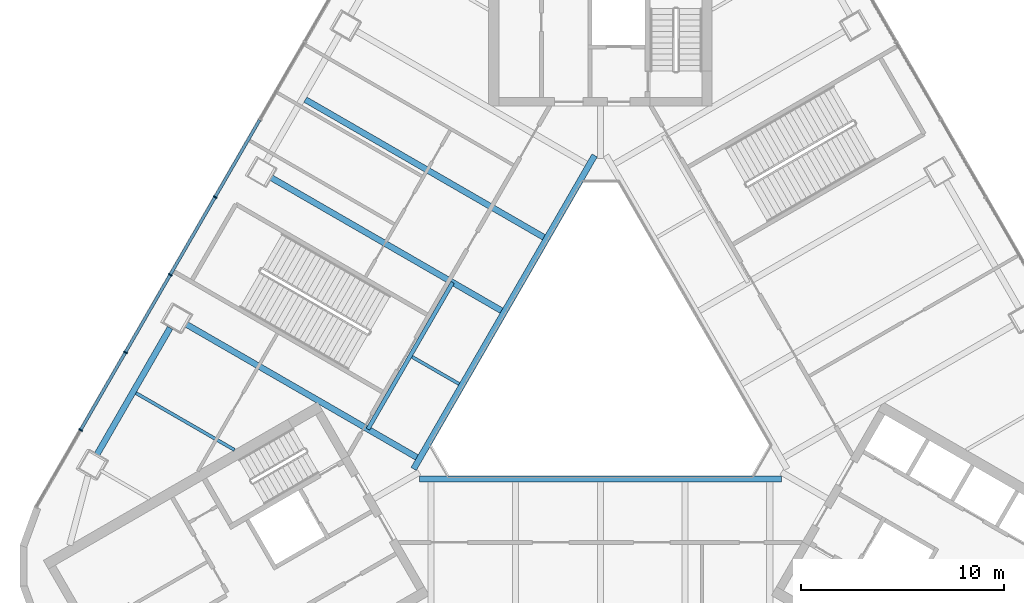
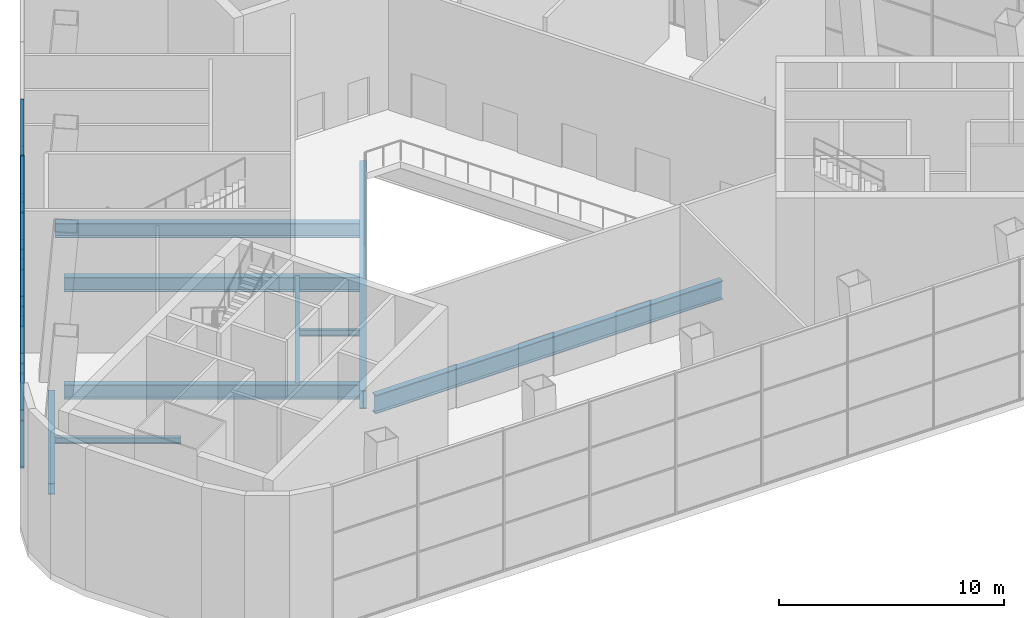
# One storey, part 3 of 16: 20 members, 9 beams, 1 element without a shape of its own.
"""IFC4 building model written with IfcOpenShell, lengths in metres."""

import ifcopenshell
import ifcopenshell.guid

model = None  # the IFC model being written
_history = None  # IfcOwnerHistory: only IFC2X3 demands one
_inside = {}  # id of a spatial element -> (the spatial element, [elements in it])
_under = {}  # id of a project, library or spatial element -> (it, [spatial elements below it])
_declared = {}  # id of a project -> (the project, [libraries it declares])
_typed = {}  # id of a type object -> (the type object, [elements of that type])
_made_of = {}  # id of a material, layer set ... -> (it, [elements and type objects made of it])


def new_model(schema):
    """Start an empty IFC model of exactly this schema.

    Asked for "IFC4X3", IfcOpenShell would pick the latest addendum, in which some entities
    have other attributes; the version numbers below select the first issue.
    IFC2X3 requires an IfcOwnerHistory on every rooted entity: one is made here for all.
    """
    global model, _history
    if schema == "IFC4X3":
        model = ifcopenshell.file(schema_version=(4, 3, 0, 0))
    else:
        model = ifcopenshell.file(schema=schema)
    _inside.clear()
    _under.clear()
    _declared.clear()
    _typed.clear()
    _made_of.clear()
    _history = None
    if model.schema == "IFC2X3":
        org = make("IfcOrganization", Name="unknown")
        user = make(
            "IfcPersonAndOrganization",
            ThePerson=make("IfcPerson", FamilyName="unknown"),
            TheOrganization=org,
        )
        app = make(
            "IfcApplication",
            ApplicationDeveloper=org,
            Version="unknown",
            ApplicationFullName="unknown",
            ApplicationIdentifier="unknown",
        )
        _history = make(
            "IfcOwnerHistory",
            OwningUser=user,
            OwningApplication=app,
            ChangeAction="ADDED",
            CreationDate=0,
        )
    return model


def make(cls, **values):
    """One entity of the class cls with the attributes given. An attribute that is None is left unset."""
    return model.create_entity(
        cls, **{name: value for name, value in values.items() if value is not None}
    )


def rooted(cls, **values):
    """An entity with a GlobalId (a new one), such as an element, a storey or a relation."""
    return make(cls, GlobalId=ifcopenshell.guid.new(), OwnerHistory=_history, **values)


def si_unit(unit_type, name, prefix=None):
    """IfcSIUnit, for example si_unit("LENGTHUNIT", "METRE", prefix="MILLI")."""
    return make("IfcSIUnit", UnitType=unit_type, Prefix=prefix, Name=name)


def assignment(units):
    """IfcUnitAssignment: the units of a project."""
    return None if units is None else make("IfcUnitAssignment", Units=units)


def point(xyz):
    """IfcCartesianPoint."""
    return None if xyz is None else make("IfcCartesianPoint", Coordinates=xyz)


def direction(xyz):
    """IfcDirection."""
    return None if xyz is None else make("IfcDirection", DirectionRatios=xyz)


def frame(location, z_axis=None, x_axis=None):
    """IfcAxis2Placement3D, a coordinate frame: its origin and axes. An axis left out is left unset."""
    return make(
        "IfcAxis2Placement3D",
        Location=point(location),
        Axis=direction(z_axis),
        RefDirection=direction(x_axis),
    )


def frame_2d(location, x_axis=None):
    """IfcAxis2Placement2D, a coordinate frame in the plane: its origin and x axis."""
    return make(
        "IfcAxis2Placement2D", Location=point(location), RefDirection=direction(x_axis)
    )


def origin():
    """The frame at (0, 0, 0) with its axes left unset."""
    return frame((0.0, 0.0, 0.0))


def origin_2d():
    """The frame at (0, 0) in the plane with its x axis left unset."""
    return frame_2d((0.0, 0.0))


def place(relative_to, where):
    """IfcLocalPlacement: puts the frame where relative to a parent placement (None: the world)."""
    return make(
        "IfcLocalPlacement", PlacementRelTo=relative_to, RelativePlacement=where
    )


def context(
    kind, dimensions, precision=None, world=None, true_north=None, identifier=None
):
    """IfcGeometricRepresentationContext, for example the 3D "Model" context."""
    return make(
        "IfcGeometricRepresentationContext",
        ContextIdentifier=identifier,
        ContextType=kind,
        CoordinateSpaceDimension=dimensions,
        Precision=precision,
        WorldCoordinateSystem=world,
        TrueNorth=true_north,
    )


def subcontext(parent, identifier, kind, view, scale=None):
    """IfcGeometricRepresentationSubContext, for example "Body" below "Model"."""
    return make(
        "IfcGeometricRepresentationSubContext",
        ContextIdentifier=identifier,
        ContextType=kind,
        ParentContext=parent,
        TargetScale=scale,
        TargetView=view,
    )


def project(units=None, contexts=None):
    """IfcProject with its units and contexts."""
    return rooted(
        "IfcProject",
        Name="project",
        RepresentationContexts=contexts,
        UnitsInContext=assignment(units),
    )


def spatial(cls, under=None, at=None, **own):
    """A site, building, storey or space (cls), placed at a placement, below another one or the project."""
    s = rooted(cls, ObjectPlacement=at, **own)
    if under is not None:
        _under.setdefault(under.id(), (under, []))[1].append(s)
    return s


def profile(cls, at=None, kind="AREA", **sizes):
    """A parametric profile (cls). Its sizes go by their IFC names, for example OverallWidth=200.0."""
    return make(cls, ProfileType=kind, Position=at, **sizes)


def rectangle(**sizes):
    """IfcRectangleProfileDef."""
    return profile("IfcRectangleProfileDef", **sizes)


def i_section(**sizes):
    """IfcIShapeProfileDef."""
    return profile("IfcIShapeProfileDef", **sizes)


def extrude(swept, where, along, depth):
    """IfcExtrudedAreaSolid: the profile swept, set in the frame where, extruded along a direction by depth."""
    return make(
        "IfcExtrudedAreaSolid",
        SweptArea=swept,
        Position=where,
        ExtrudedDirection=direction(along),
        Depth=depth,
    )


def shape(context_of_items, identifier, shape_type, items):
    """IfcShapeRepresentation: the items that make up one representation, for example the "Body"."""
    return make(
        "IfcShapeRepresentation",
        ContextOfItems=context_of_items,
        RepresentationIdentifier=identifier,
        RepresentationType=shape_type,
        Items=items,
    )


def material(Name=None, Category=None):
    """IfcMaterial."""
    return make("IfcMaterial", Name=Name, Category=Category)


def layer(
    of_material, thickness, ventilated=None, Name=None, Category=None, Priority=None
):
    """IfcMaterialLayer: one layer of a wall or slab, of a material (None: an air gap)."""
    return make(
        "IfcMaterialLayer",
        Material=of_material,
        LayerThickness=thickness,
        IsVentilated=ventilated,
        Name=Name,
        Category=Category,
        Priority=Priority,
    )


def layer_set(layers, Name=None):
    """IfcMaterialLayerSet."""
    return make("IfcMaterialLayerSet", MaterialLayers=layers, LayerSetName=Name)


def material_profile(
    of_material, cross_section, Name=None, Category=None, Priority=None
):
    """IfcMaterialProfile: a cross section and its material."""
    return make(
        "IfcMaterialProfile",
        Name=Name,
        Material=of_material,
        Profile=cross_section,
        Priority=Priority,
        Category=Category,
    )


def profile_set(profiles, Name=None, composite=None):
    """IfcMaterialProfileSet."""
    return make(
        "IfcMaterialProfileSet",
        Name=Name,
        MaterialProfiles=profiles,
        CompositeProfile=composite,
    )


def made_of(thing, what):
    """Note that an element or type object is made of a material, layer set ...; save() writes the relation."""
    if what is not None:
        _made_of.setdefault(what.id(), (what, []))[1].append(thing)
    return thing


def type_object(cls, material=None, **own):
    """A type object (cls), such as IfcWallType, which elements share."""
    return made_of(rooted(cls, **own), material)


def element(
    cls,
    number,
    at=None,
    inside=None,
    cuts=None,
    type_object=None,
    material=None,
    context=None,
    identifier="Body",
    shape_type=None,
    held_by="IfcProductDefinitionShape",
    body=None,
    shapes=None,
    **own,
):
    """One element of the class cls, such as IfcWall. Its Tag is "e" and its number.

    at: its placement. inside: the storey or other place that contains it. cuts: it is an
    opening in that element (IfcRelVoidsElement). A single representation is given by context,
    identifier, shape_type and body (its items); several are given by shapes. held_by: the class
    of the entity that holds the representations. save() writes the other relations.
    """
    e = rooted(cls, Tag="e%d" % number, ObjectPlacement=at, **own)
    if body is not None:
        shapes = [shape(context, identifier, shape_type, body)]
    if shapes is not None:
        e.Representation = make(held_by, Representations=shapes)
    if inside is not None:
        _inside.setdefault(inside.id(), (inside, []))[1].append(e)
    if cuts is not None:
        rooted(
            "IfcRelVoidsElement", RelatingBuildingElement=cuts, RelatedOpeningElement=e
        )
    if type_object is not None:
        _typed.setdefault(type_object.id(), (type_object, []))[1].append(e)
    return made_of(e, material)


def aggregate(whole, parts):
    """IfcRelAggregates: a whole, such as a stair, and the parts it consists of."""
    return rooted("IfcRelAggregates", RelatingObject=whole, RelatedObjects=parts)


def save(model, path):
    """Write the relations noted so far, then the file.

    IfcRelAggregates (storeys below a building ...), IfcRelContainedInSpatialStructure (elements
    in a storey), IfcRelDefinesByType, IfcRelAssociatesMaterial and IfcRelDeclares: one each for
    every whole, place, type object, material and project.
    """
    for whole, parts in _under.values():
        aggregate(whole, parts)
    for where, things in _inside.values():
        rooted(
            "IfcRelContainedInSpatialStructure",
            RelatedElements=things,
            RelatingStructure=where,
        )
    for kind, things in _typed.values():
        rooted("IfcRelDefinesByType", RelatedObjects=things, RelatingType=kind)
    for what, things in _made_of.values():
        rooted("IfcRelAssociatesMaterial", RelatedObjects=things, RelatingMaterial=what)
    for by, libraries in _declared.values():
        rooted("IfcRelDeclares", RelatingContext=by, RelatedDefinitions=libraries)
    model.write(path)


model = new_model("IFC4")

# Units and contexts
model_context = context("Model", 3, precision=1e-05, world=origin(), true_north=direction((0.0, 1.0)))
body_context = subcontext(model_context, "Body", "Model", "MODEL_VIEW")
ifc_project = project(units=[si_unit("LENGTHUNIT", "METRE"), si_unit("AREAUNIT", "SQUARE_METRE"), si_unit("VOLUMEUNIT", "CUBIC_METRE"), si_unit("PLANEANGLEUNIT", "RADIAN"), si_unit("MASSUNIT", "GRAM", prefix="KILO")], contexts=[model_context])

# Site, building, storey
site_placement = place(None, origin())
site = spatial("IfcSite", under=ifc_project, at=site_placement, CompositionType="ELEMENT")
building_placement = place(site_placement, origin())
building = spatial("IfcBuilding", under=site, at=building_placement, Name="Apuvela Tower Hotel", CompositionType="ELEMENT")
storey_placement = place(building_placement, frame((0.0, 0.0, 15.5)))
storey = spatial("IfcBuildingStorey", under=building, at=storey_placement, Name="L02", CompositionType="ELEMENT", Elevation=15.5)

# Curtain wall, members
ifc_material_1 = material(Name="Aluminium 6063-T6, dark bronze anodised", Category="aluminium")
ifc_layer = layer(ifc_material_1, 0.199951171875)
ifc_layer_set = layer_set([ifc_layer], Name="ENV-CW-P")
curtain_wall_type = type_object("IfcCurtainWallType", Name="ENV-CW-P", PredefinedType="NOTDEFINED", material=ifc_layer_set)
curtain_wall_placement = place(storey_placement, origin())
curtain_wall = element("IfcCurtainWall", 1, at=curtain_wall_placement, inside=storey, type_object=curtain_wall_type, Name="Curtain wall CW-P NW L02", PredefinedType="NOTDEFINED")
ifc_material_profile_1 = material_profile(ifc_material_1, rectangle(XDim=0.199951171875, YDim=0.06494140625, at=origin_2d()), Name="AL 65x200")
ifc_profile_set_1 = profile_set([ifc_material_profile_1], Name="Aluminium 6063-T6, dark bronze anodised")
member_type_1 = type_object("IfcMemberType", Name="ENV-MULLION-65x200", PredefinedType="MULLION", material=ifc_profile_set_1)
member_1_placement = place(storey_placement, frame((-18.97119140625, 8.403564453125, 0.0), z_axis=(0.0, 0.0, 1.0), x_axis=(0.866024643727, -0.500001316455, 0.0)))
member_1 = element("IfcMember", 2, at=member_1_placement, type_object=member_type_1, Name="CW-P mullion 6", PredefinedType="MULLION", context=body_context, shape_type="SweptSolid", body=[
    extrude(rectangle(XDim=0.199951171875, YDim=0.06494140625, at=origin_2d()), origin(), (0.0, 0.0, 1.0), 7.699951171875),
])
member_2_placement = place(storey_placement, frame((-21.17919921875, 4.579345703125, 0.0), z_axis=(0.0, 0.0, 1.0), x_axis=(0.866024643727, -0.500001316455, 0.0)))
member_2 = element("IfcMember", 3, at=member_2_placement, type_object=member_type_1, Name="CW-P mullion 7", PredefinedType="MULLION", context=body_context, shape_type="SweptSolid", body=[
    extrude(rectangle(XDim=0.199951171875, YDim=0.06494140625, at=origin_2d()), origin(), (0.0, 0.0, 1.0), 7.699951171875),
])
member_3_placement = place(storey_placement, frame((-23.38720703125, 0.7548828125, 0.0), z_axis=(0.0, 0.0, 1.0), x_axis=(0.866024643727, -0.500001316455, 0.0)))
member_3 = element("IfcMember", 4, at=member_3_placement, type_object=member_type_1, Name="CW-P mullion 8", PredefinedType="MULLION", context=body_context, shape_type="SweptSolid", body=[
    extrude(rectangle(XDim=0.199951171875, YDim=0.06494140625, at=origin_2d()), origin(), (0.0, 0.0, 1.0), 7.699951171875),
])
member_4_placement = place(storey_placement, frame((-25.59521484375, -3.0693359375, 0.0), z_axis=(0.0, 0.0, 1.0), x_axis=(0.866024643727, -0.500001316455, 0.0)))
member_4 = element("IfcMember", 5, at=member_4_placement, type_object=member_type_1, Name="CW-P mullion 9", PredefinedType="MULLION", context=body_context, shape_type="SweptSolid", body=[
    extrude(rectangle(XDim=0.199951171875, YDim=0.06494140625, at=origin_2d()), origin(), (0.0, 0.0, 1.0), 7.699951171875),
])
ifc_material_profile_2 = material_profile(ifc_material_1, rectangle(XDim=0.14990234375, YDim=0.06494140625, at=origin_2d()), Name="AL 65x150 transom")
ifc_profile_set_2 = profile_set([ifc_material_profile_2], Name="Aluminium 6063-T6, dark bronze anodised")
member_type_2 = type_object("IfcMemberType", Name="ENV-TRANSOM-65x150", PredefinedType="USERDEFINED", material=ifc_profile_set_2)
member_5_placement = place(storey_placement, frame((-16.779541015625, 12.19970703125, 0.032470703125), z_axis=(-0.500007404367, -0.866021128829, 0.0), x_axis=(0.866021128829, -0.500007404367, 0.0)))
member_5 = element("IfcMember", 6, at=member_5_placement, type_object=member_type_2, Name="CW-P transom 5.1", ObjectType="TRANSOM", PredefinedType="USERDEFINED", context=body_context, shape_type="SweptSolid", body=[
    extrude(rectangle(XDim=0.14990234375, YDim=0.06494140625, at=origin_2d()), origin(), (0.0, 0.0, 1.0), 4.35107421875),
])
member_6_placement = place(storey_placement, frame((-16.779541015625, 12.19970703125, 2.566650390625), z_axis=(-0.500007404367, -0.866021128829, 0.0), x_axis=(0.866021128829, -0.500007404367, 0.0)))
member_6 = element("IfcMember", 7, at=member_6_placement, type_object=member_type_2, Name="CW-P transom 5.2", ObjectType="TRANSOM", PredefinedType="USERDEFINED", context=body_context, shape_type="SweptSolid", body=[
    extrude(rectangle(XDim=0.14990234375, YDim=0.06494140625, at=origin_2d()), origin(), (0.0, 0.0, 1.0), 4.35107421875),
])
member_7_placement = place(storey_placement, frame((-16.779541015625, 12.19970703125, 5.13330078125), z_axis=(-0.500007404367, -0.866021128829, 0.0), x_axis=(0.866021128829, -0.500007404367, 0.0)))
member_7 = element("IfcMember", 8, at=member_7_placement, type_object=member_type_2, Name="CW-P transom 5.3", ObjectType="TRANSOM", PredefinedType="USERDEFINED", context=body_context, shape_type="SweptSolid", body=[
    extrude(rectangle(XDim=0.14990234375, YDim=0.06494140625, at=origin_2d()), origin(), (0.0, 0.0, 1.0), 4.35107421875),
])
member_8_placement = place(storey_placement, frame((-16.779541015625, 12.19970703125, 7.66748046875), z_axis=(-0.500007404367, -0.866021128829, 0.0), x_axis=(0.866021128829, -0.500007404367, 0.0)))
member_8 = element("IfcMember", 9, at=member_8_placement, type_object=member_type_2, Name="CW-P transom 5.4", ObjectType="TRANSOM", PredefinedType="USERDEFINED", context=body_context, shape_type="SweptSolid", body=[
    extrude(rectangle(XDim=0.14990234375, YDim=0.06494140625, at=origin_2d()), origin(), (0.0, 0.0, 1.0), 4.35107421875),
])
member_9_placement = place(storey_placement, frame((-18.987548828125, 8.375244140625, 0.032470703125), z_axis=(-0.500031702477, -0.866007099577, 0.0), x_axis=(0.866007099577, -0.500031702477, 0.0)))
member_9 = element("IfcMember", 10, at=member_9_placement, type_object=member_type_2, Name="CW-P transom 6.1", ObjectType="TRANSOM", PredefinedType="USERDEFINED", context=body_context, shape_type="SweptSolid", body=[
    extrude(rectangle(XDim=0.14990234375, YDim=0.06494140625, at=origin_2d()), origin(), (0.0, 0.0, 1.0), 4.350830078125),
])
member_10_placement = place(storey_placement, frame((-18.987548828125, 8.375244140625, 2.566650390625), z_axis=(-0.500031702477, -0.866007099577, 0.0), x_axis=(0.866007099577, -0.500031702477, 0.0)))
member_10 = element("IfcMember", 11, at=member_10_placement, type_object=member_type_2, Name="CW-P transom 6.2", ObjectType="TRANSOM", PredefinedType="USERDEFINED", context=body_context, shape_type="SweptSolid", body=[
    extrude(rectangle(XDim=0.14990234375, YDim=0.06494140625, at=origin_2d()), origin(), (0.0, 0.0, 1.0), 4.350830078125),
])
member_11_placement = place(storey_placement, frame((-18.987548828125, 8.375244140625, 5.13330078125), z_axis=(-0.500031702477, -0.866007099577, 0.0), x_axis=(0.866007099577, -0.500031702477, 0.0)))
member_11 = element("IfcMember", 12, at=member_11_placement, type_object=member_type_2, Name="CW-P transom 6.3", ObjectType="TRANSOM", PredefinedType="USERDEFINED", context=body_context, shape_type="SweptSolid", body=[
    extrude(rectangle(XDim=0.14990234375, YDim=0.06494140625, at=origin_2d()), origin(), (0.0, 0.0, 1.0), 4.350830078125),
])
member_12_placement = place(storey_placement, frame((-18.987548828125, 8.375244140625, 7.66748046875), z_axis=(-0.500031702477, -0.866007099577, 0.0), x_axis=(0.866007099577, -0.500031702477, 0.0)))
member_12 = element("IfcMember", 13, at=member_12_placement, type_object=member_type_2, Name="CW-P transom 6.4", ObjectType="TRANSOM", PredefinedType="USERDEFINED", context=body_context, shape_type="SweptSolid", body=[
    extrude(rectangle(XDim=0.14990234375, YDim=0.06494140625, at=origin_2d()), origin(), (0.0, 0.0, 1.0), 4.350830078125),
])
member_13_placement = place(storey_placement, frame((-21.195556640625, 4.551025390625, 0.032470703125), z_axis=(-0.499989616998, -0.866031398331, 0.0), x_axis=(0.866031398331, -0.499989616998, 0.0)))
member_13 = element("IfcMember", 14, at=member_13_placement, type_object=member_type_2, Name="CW-P transom 7.1", ObjectType="TRANSOM", PredefinedType="USERDEFINED", context=body_context, shape_type="SweptSolid", body=[
    extrude(rectangle(XDim=0.14990234375, YDim=0.06494140625, at=origin_2d()), origin(), (0.0, 0.0, 1.0), 4.3505859375),
])
member_14_placement = place(storey_placement, frame((-21.195556640625, 4.551025390625, 2.566650390625), z_axis=(-0.499989616998, -0.866031398331, 0.0), x_axis=(0.866031398331, -0.499989616998, 0.0)))
member_14 = element("IfcMember", 15, at=member_14_placement, type_object=member_type_2, Name="CW-P transom 7.2", ObjectType="TRANSOM", PredefinedType="USERDEFINED", context=body_context, shape_type="SweptSolid", body=[
    extrude(rectangle(XDim=0.14990234375, YDim=0.06494140625, at=origin_2d()), origin(), (0.0, 0.0, 1.0), 4.3505859375),
])
member_15_placement = place(storey_placement, frame((-21.195556640625, 4.551025390625, 5.13330078125), z_axis=(-0.499989616998, -0.866031398331, 0.0), x_axis=(0.866031398331, -0.499989616998, 0.0)))
member_15 = element("IfcMember", 16, at=member_15_placement, type_object=member_type_2, Name="CW-P transom 7.3", ObjectType="TRANSOM", PredefinedType="USERDEFINED", context=body_context, shape_type="SweptSolid", body=[
    extrude(rectangle(XDim=0.14990234375, YDim=0.06494140625, at=origin_2d()), origin(), (0.0, 0.0, 1.0), 4.3505859375),
])
member_16_placement = place(storey_placement, frame((-21.195556640625, 4.551025390625, 7.66748046875), z_axis=(-0.499989616998, -0.866031398331, 0.0), x_axis=(0.866031398331, -0.499989616998, 0.0)))
member_16 = element("IfcMember", 17, at=member_16_placement, type_object=member_type_2, Name="CW-P transom 7.4", ObjectType="TRANSOM", PredefinedType="USERDEFINED", context=body_context, shape_type="SweptSolid", body=[
    extrude(rectangle(XDim=0.14990234375, YDim=0.06494140625, at=origin_2d()), origin(), (0.0, 0.0, 1.0), 4.3505859375),
])
member_17_placement = place(storey_placement, frame((-23.4033203125, 0.726806640625, 0.032470703125), z_axis=(-0.500007404367, -0.866021128829, 0.0), x_axis=(0.866021128829, -0.500007404367, 0.0)))
member_17 = element("IfcMember", 18, at=member_17_placement, type_object=member_type_2, Name="CW-P transom 8.1", ObjectType="TRANSOM", PredefinedType="USERDEFINED", context=body_context, shape_type="SweptSolid", body=[
    extrude(rectangle(XDim=0.14990234375, YDim=0.06494140625, at=origin_2d()), origin(), (0.0, 0.0, 1.0), 4.35107421875),
])
member_18_placement = place(storey_placement, frame((-23.4033203125, 0.726806640625, 2.566650390625), z_axis=(-0.500007404367, -0.866021128829, 0.0), x_axis=(0.866021128829, -0.500007404367, 0.0)))
member_18 = element("IfcMember", 19, at=member_18_placement, type_object=member_type_2, Name="CW-P transom 8.2", ObjectType="TRANSOM", PredefinedType="USERDEFINED", context=body_context, shape_type="SweptSolid", body=[
    extrude(rectangle(XDim=0.14990234375, YDim=0.06494140625, at=origin_2d()), origin(), (0.0, 0.0, 1.0), 4.35107421875),
])
member_19_placement = place(storey_placement, frame((-23.4033203125, 0.726806640625, 5.13330078125), z_axis=(-0.500007404367, -0.866021128829, 0.0), x_axis=(0.866021128829, -0.500007404367, 0.0)))
member_19 = element("IfcMember", 20, at=member_19_placement, type_object=member_type_2, Name="CW-P transom 8.3", ObjectType="TRANSOM", PredefinedType="USERDEFINED", context=body_context, shape_type="SweptSolid", body=[
    extrude(rectangle(XDim=0.14990234375, YDim=0.06494140625, at=origin_2d()), origin(), (0.0, 0.0, 1.0), 4.35107421875),
])
member_20_placement = place(storey_placement, frame((-23.4033203125, 0.726806640625, 7.66748046875), z_axis=(-0.500007404367, -0.866021128829, 0.0), x_axis=(0.866021128829, -0.500007404367, 0.0)))
member_20 = element("IfcMember", 21, at=member_20_placement, type_object=member_type_2, Name="CW-P transom 8.4", ObjectType="TRANSOM", PredefinedType="USERDEFINED", context=body_context, shape_type="SweptSolid", body=[
    extrude(rectangle(XDim=0.14990234375, YDim=0.06494140625, at=origin_2d()), origin(), (0.0, 0.0, 1.0), 4.35107421875),
])
aggregate(curtain_wall, [member_1, member_2, member_3, member_4, member_5, member_6, member_7, member_8, member_9, member_10, member_11, member_12, member_13, member_14, member_15, member_16, member_17, member_18, member_19, member_20])

# Beams
ifc_material_2 = material(Name="Steel S355", Category="steel")
ifc_material_profile_3 = material_profile(ifc_material_2, i_section(OverallWidth=0.300048828125, OverallDepth=0.7900390625, WebThickness=0.014892578125, FlangeThickness=0.028076171875, at=origin_2d()), Name="HE 800 A")
ifc_profile_set_3 = profile_set([ifc_material_profile_3], Name="Steel S355")
beam_type_1 = type_object("IfcBeamType", Name="STR-B floor beam HE 800 A", PredefinedType="BEAM", material=ifc_profile_set_3)
beam_1_placement = place(storey_placement, frame((-14.525634765625, 13.203369140625, -0.7451171875), z_axis=(0.866020673176, -0.500008193565, 0.0), x_axis=(0.500008193565, 0.866020673176, 0.0)))
element("IfcBeam", 22, at=beam_1_placement, inside=storey, type_object=beam_type_1, Name="Floor beam B5 NW4", PredefinedType="BEAM", context=body_context, shape_type="SweptSolid", body=[
    extrude(i_section(OverallWidth=0.300048828125, OverallDepth=0.7900390625, WebThickness=0.014892578125, FlangeThickness=0.028076171875, at=origin_2d()), origin(), (0.0, 0.0, 1.0), 13.559326171875),
])
beam_2_placement = place(storey_placement, frame((-16.26513671875, 9.390625, -0.7451171875), z_axis=(0.866026473983, -0.499998146358, 0.0), x_axis=(0.499998146358, 0.866026473983, 0.0)))
element("IfcBeam", 23, at=beam_2_placement, inside=storey, type_object=beam_type_1, Name="Floor beam B5 NW5", PredefinedType="BEAM", context=body_context, shape_type="SweptSolid", body=[
    extrude(i_section(OverallWidth=0.300048828125, OverallDepth=0.7900390625, WebThickness=0.014892578125, FlangeThickness=0.028076171875, at=origin_2d()), origin(), (0.0, 0.0, 1.0), 13.1591796875),
])
beam_3_placement = place(storey_placement, frame((-20.436767578125, 2.165283203125, -0.7451171875), z_axis=(0.866023078635, -0.500004027256, 0.0), x_axis=(0.500004027256, 0.866023078635, 0.0)))
element("IfcBeam", 24, at=beam_3_placement, inside=storey, type_object=beam_type_1, Name="Floor beam B5 NW7", PredefinedType="BEAM", context=body_context, shape_type="SweptSolid", body=[
    extrude(i_section(OverallWidth=0.300048828125, OverallDepth=0.7900390625, WebThickness=0.014892578125, FlangeThickness=0.028076171875, at=origin_2d()), origin(), (0.0, 0.0, 1.0), 13.15966796875),
])
ifc_material_profile_4 = material_profile(ifc_material_2, i_section(OverallWidth=0.159912109375, OverallDepth=0.330078125, WebThickness=0.007568359375, FlangeThickness=0.011474609375, at=origin_2d()), Name="IPE 330")
ifc_profile_set_4 = profile_set([ifc_material_profile_4], Name="Steel S355")
beam_type_2 = type_object("IfcBeamType", Name="STR-B floor beam IPE 330", PredefinedType="BEAM", material=ifc_profile_set_4)
beam_4_placement = place(storey_placement, frame((-9.273681640625, 0.537353515625, -0.514892578125), z_axis=(0.865995803072, -0.500051266433, 0.0), x_axis=(0.500051266433, 0.865995803072, 0.0)))
element("IfcBeam", 25, at=beam_4_placement, inside=storey, type_object=beam_type_2, Name="Floor beam B1 NW6", PredefinedType="BEAM", context=body_context, shape_type="SweptSolid", body=[
    extrude(i_section(OverallWidth=0.159912109375, OverallDepth=0.330078125, WebThickness=0.007568359375, FlangeThickness=0.011474609375, at=origin_2d()), origin(), (0.0, 0.0, 1.0), 2.677978515625),
])
beam_5_placement = place(storey_placement, frame((-22.868896484375, -1.24755859375, -0.514892578125), z_axis=(0.866023103686, -0.500003983866, 0.0), x_axis=(0.500003983866, 0.866023103686, 0.0)))
element("IfcBeam", 26, at=beam_5_placement, inside=storey, type_object=beam_type_2, Name="Floor beam B1 NW8", PredefinedType="BEAM", context=body_context, shape_type="SweptSolid", body=[
    extrude(i_section(OverallWidth=0.159912109375, OverallDepth=0.330078125, WebThickness=0.007568359375, FlangeThickness=0.011474609375, at=origin_2d()), origin(), (0.0, 0.0, 1.0), 5.60498046875),
])
ifc_material_profile_5 = material_profile(ifc_material_2, i_section(OverallWidth=0.302001953125, OverallDepth=1.008056640625, WebThickness=0.02099609375, FlangeThickness=0.0400390625, at=origin_2d()), Name="HE 1000 M")
ifc_profile_set_5 = profile_set([ifc_material_profile_5], Name="Steel S355")
beam_type_3 = type_object("IfcBeamType", Name="STR-G atrium ring girder HE 1000 M", PredefinedType="BEAM", material=ifc_profile_set_5)
for number, where, z_axis, x_axis, name in (
    (27, (-0.28076171875, 10.455810546875, -0.85400390625), (-0.500000611842, -0.866025050537, 0.0), (0.866025050537, -0.500000611842, 0.0), "Atrium ring girder G1 N-SW"),
    (28, (-8.91455078125, -5.470947265625, -0.85400390625), (1.0, 0.0, 0.0), (0.0, 1.0, 0.0), "Atrium ring girder G1 SW-SE"),
):
    element("IfcBeam", number, at=place(storey_placement, frame(where, z_axis=z_axis, x_axis=x_axis)), inside=storey, type_object=beam_type_3, Name=name, PredefinedType="BEAM", context=body_context, shape_type="SweptSolid", body=[
        extrude(i_section(OverallWidth=0.302001953125, OverallDepth=1.008056640625, WebThickness=0.02099609375, FlangeThickness=0.0400390625, at=origin_2d()), origin(), (0.0, 0.0, 1.0), 17.8291015625),
    ])
ifc_material_profile_6 = material_profile(ifc_material_2, i_section(OverallWidth=0.300048828125, OverallDepth=0.60009765625, WebThickness=0.015380859375, FlangeThickness=0.030029296875, at=origin_2d()), Name="HE 600 B")
ifc_profile_set_6 = profile_set([ifc_material_profile_6], Name="Steel S355")
beam_type_4 = type_object("IfcBeamType", Name="STR-SB spandrel beam HE 600 B", PredefinedType="SPANDREL", material=ifc_profile_set_6)
beam_6_placement = place(storey_placement, frame((-21.18798828125, 1.9638671875, -0.64990234375), z_axis=(-0.500028806583, -0.866008771657, 0.0), x_axis=(0.866008771657, -0.500028806583, 0.0)))
element("IfcBeam", 29, at=beam_6_placement, inside=storey, type_object=beam_type_4, Name="Spandrel beam SB1 NW4", PredefinedType="SPANDREL", context=body_context, shape_type="SweptSolid", body=[
    extrude(i_section(OverallWidth=0.300048828125, OverallDepth=0.60009765625, WebThickness=0.015380859375, FlangeThickness=0.030029296875, at=origin_2d()), origin(), (0.0, 0.0, 1.0), 7.2431640625),
])
ifc_material_profile_7 = material_profile(ifc_material_2, i_section(OverallWidth=0.199951171875, OverallDepth=0.5, WebThickness=0.01025390625, FlangeThickness=0.01611328125, at=origin_2d()), Name="IPE 500")
ifc_profile_set_7 = profile_set([ifc_material_profile_7], Name="Steel S355")
beam_type_5 = type_object("IfcBeamType", Name="STR-TB stair trimmer beam IPE 500", PredefinedType="BEAM", material=ifc_profile_set_7)
beam_7_placement = place(storey_placement, frame((-7.274658203125, 4.199951171875, -0.60009765625), z_axis=(-0.500006996263, -0.866021364453, 0.0), x_axis=(0.866021364453, -0.500006996263, 0.0)))
element("IfcBeam", 30, at=beam_7_placement, inside=storey, type_object=beam_type_5, Name="Stair trimmer beam TB2 PS2", PredefinedType="BEAM", context=body_context, shape_type="SweptSolid", body=[
    extrude(i_section(OverallWidth=0.199951171875, OverallDepth=0.5, WebThickness=0.01025390625, FlangeThickness=0.01611328125, at=origin_2d()), origin(), (0.0, 0.0, 1.0), 8.34326171875),
])

save(model, "model.ifc")
